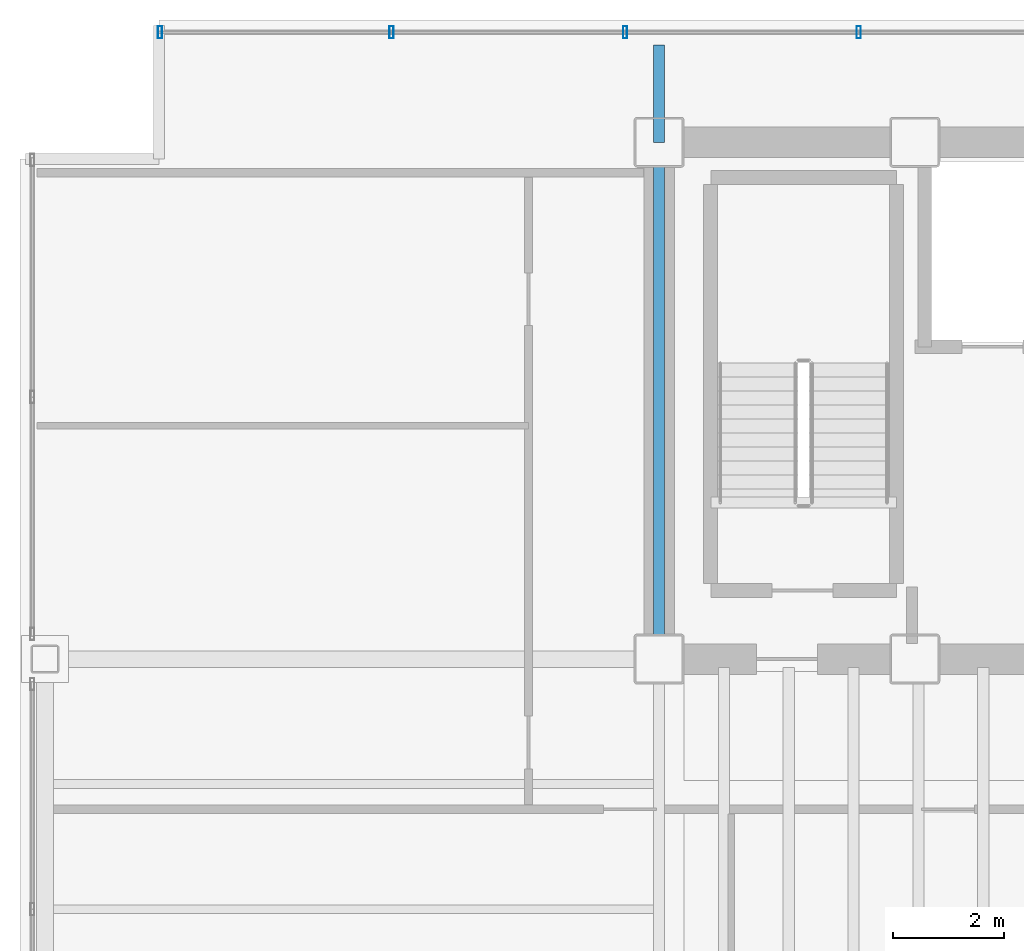
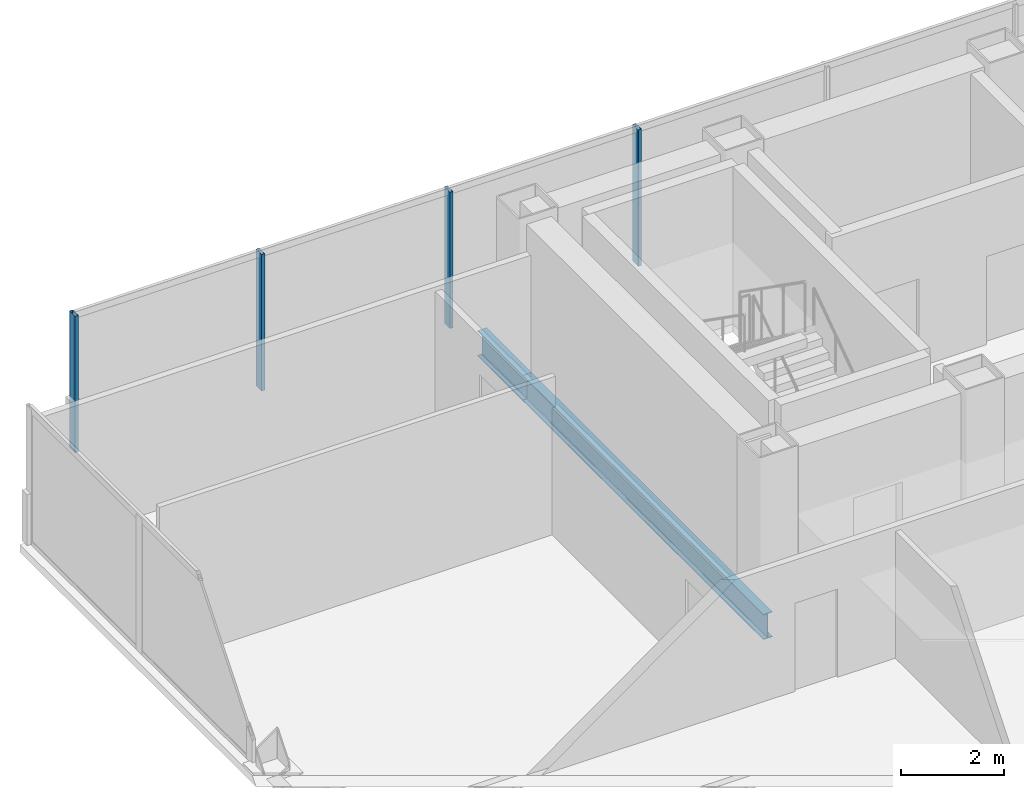
# One storey, part 8 of 20: 4 members, 2 beams, 1 element without a shape of its own.
"""IFC4 building model written with IfcOpenShell, lengths in metres."""

from ifc_helpers import new_model, si_unit, direction, frame, origin, origin_2d, place, context, subcontext, project, spatial, hollow_rectangle, i_section, extrude, material, material_profile, profile_set, type_object, element, aggregate, save


model = new_model("IFC4")

# Units and contexts
model_context = context("Model", 3, precision=1e-05, world=origin(), true_north=direction((0.0, 1.0)))
body_context = subcontext(model_context, "Body", "Model", "MODEL_VIEW")
ifc_project = project(units=[si_unit("LENGTHUNIT", "METRE"), si_unit("AREAUNIT", "SQUARE_METRE"), si_unit("VOLUMEUNIT", "CUBIC_METRE"), si_unit("PLANEANGLEUNIT", "RADIAN"), si_unit("MASSUNIT", "GRAM", prefix="KILO")], contexts=[model_context])

# Site, building, storey
site_placement = place(None, origin())
site = spatial("IfcSite", under=ifc_project, at=site_placement, CompositionType="ELEMENT")
building_placement = place(site_placement, origin())
building = spatial("IfcBuilding", under=site, at=building_placement, Name="Noeulbin Bourse Tower", CompositionType="ELEMENT")
storey_placement = place(building_placement, frame((0.0, 0.0, 126.60009765625)))
storey = spatial("IfcBuildingStorey", under=building, at=storey_placement, Name="L31", CompositionType="ELEMENT", Elevation=126.60009765625)

# Beams
ifc_material_1 = material(Name="Steel S355", Category="steel")
ifc_material_profile_1 = material_profile(ifc_material_1, i_section(OverallWidth=0.199951171875, OverallDepth=0.60009765625, WebThickness=0.010986328125, FlangeThickness=0.01708984375, FilletRadius=0.02197265625, at=origin_2d()), Name="H-600x200x11x17", Category="LoadBearing")
ifc_profile_set_1 = profile_set([ifc_material_profile_1], Name="Steel S355")
beam_type = type_object("IfcBeamType", Name="BM-GRD-600", PredefinedType="USERDEFINED", material=ifc_profile_set_1)
beam_1_placement = place(storey_placement, frame((13.5, 29.0, -0.47998046875), z_axis=(0.0, 1.0, 0.0), x_axis=(-1.0, 0.0, 0.0)))
element("IfcBeam", 1, at=beam_1_placement, inside=storey, type_object=beam_type, Name="Tower Primary Girder NS L31-1.3", ObjectType="GIRDER", PredefinedType="USERDEFINED", context=body_context, shape_type="SweptSolid", body=[
    extrude(i_section(OverallWidth=0.199951171875, OverallDepth=0.60009765625, WebThickness=0.010986328125, FlangeThickness=0.01708984375, FilletRadius=0.02197265625, at=origin_2d()), origin(), (0.0, 0.0, 1.0), 9.300048828125),
])
beam_2_placement = place(storey_placement, frame((13.5, 38.300048828125, -0.47998046875), z_axis=(0.0, 1.0, 0.0), x_axis=(-1.0, 0.0, 0.0)))
element("IfcBeam", 2, at=beam_2_placement, inside=storey, type_object=beam_type, Name="Tower Primary Girder NS L31-1.4", ObjectType="GIRDER", PredefinedType="USERDEFINED", context=body_context, shape_type="SweptSolid", body=[
    extrude(i_section(OverallWidth=0.199951171875, OverallDepth=0.60009765625, WebThickness=0.010986328125, FlangeThickness=0.01708984375, FilletRadius=0.02197265625, at=origin_2d()), origin(), (0.0, 0.0, 1.0), 1.75),
])

# Curtain wall, members
ifc_material_2 = material(Name="Dark Tinted Triple Glazing", Category="glass")
curtain_wall_type = type_object("IfcCurtainWallType", Name="CW-SYS-3", PredefinedType="NOTDEFINED", material=ifc_material_2)
curtain_wall_placement = place(storey_placement, origin())
curtain_wall = element("IfcCurtainWall", 3, at=curtain_wall_placement, inside=storey, type_object=curtain_wall_type, Name="Unitised Curtain Wall CW-L31-N", PredefinedType="NOTDEFINED")
ifc_material_3 = material(Name="Anodised Aluminium 6063-T6", Category="aluminium")
ifc_material_profile_2 = material_profile(ifc_material_3, hollow_rectangle(XDim=0.074951171875, YDim=0.219970703125, WallThickness=0.0048828125, InnerFilletRadius=0.00244140625, OuterFilletRadius=0.0048828125, at=origin_2d()), Name="ALU-MULL-75x220x5", Category="LoadBearing")
ifc_profile_set_2 = profile_set([ifc_material_profile_2], Name="Anodised Aluminium 6063-T6")
member_type = type_object("IfcMemberType", Name="CW-SYS-3-MUL", PredefinedType="MULLION", material=ifc_profile_set_2)
member_1_placement = place(storey_placement, frame((4.52001953125, 40.280029296875, -0.02001953125), z_axis=(0.0, 0.0, 1.0), x_axis=(1.0, 0.0, 0.0)))
member_1 = element("IfcMember", 4, at=member_1_placement, type_object=member_type, Name="Curtain Wall Mullion CW-L31-N-M00", PredefinedType="MULLION", context=body_context, shape_type="SweptSolid", body=[
    extrude(hollow_rectangle(XDim=0.074951171875, YDim=0.219970703125, WallThickness=0.0048828125, InnerFilletRadius=0.00244140625, OuterFilletRadius=0.0048828125, at=origin_2d()), origin(), (0.0, 0.0, 1.0), 3.219970703125),
])
member_2_placement = place(storey_placement, frame((8.68408203125, 40.280029296875, -0.02001953125), z_axis=(0.0, 0.0, 1.0), x_axis=(1.0, 0.0, 0.0)))
member_2 = element("IfcMember", 5, at=member_2_placement, type_object=member_type, Name="Curtain Wall Mullion CW-L31-N-M01", PredefinedType="MULLION", context=body_context, shape_type="SweptSolid", body=[
    extrude(hollow_rectangle(XDim=0.074951171875, YDim=0.219970703125, WallThickness=0.0048828125, InnerFilletRadius=0.00244140625, OuterFilletRadius=0.0048828125, at=origin_2d()), origin(), (0.0, 0.0, 1.0), 3.219970703125),
])
member_3_placement = place(storey_placement, frame((12.887939453125, 40.280029296875, -0.02001953125), z_axis=(0.0, 0.0, 1.0), x_axis=(1.0, 0.0, 0.0)))
member_3 = element("IfcMember", 6, at=member_3_placement, type_object=member_type, Name="Curtain Wall Mullion CW-L31-N-M02", PredefinedType="MULLION", context=body_context, shape_type="SweptSolid", body=[
    extrude(hollow_rectangle(XDim=0.074951171875, YDim=0.219970703125, WallThickness=0.0048828125, InnerFilletRadius=0.00244140625, OuterFilletRadius=0.0048828125, at=origin_2d()), origin(), (0.0, 0.0, 1.0), 3.219970703125),
])
member_4_placement = place(storey_placement, frame((17.092041015625, 40.280029296875, -0.02001953125), z_axis=(0.0, 0.0, 1.0), x_axis=(1.0, 0.0, 0.0)))
member_4 = element("IfcMember", 7, at=member_4_placement, type_object=member_type, Name="Curtain Wall Mullion CW-L31-N-M03", PredefinedType="MULLION", context=body_context, shape_type="SweptSolid", body=[
    extrude(hollow_rectangle(XDim=0.074951171875, YDim=0.219970703125, WallThickness=0.0048828125, InnerFilletRadius=0.00244140625, OuterFilletRadius=0.0048828125, at=origin_2d()), origin(), (0.0, 0.0, 1.0), 3.219970703125),
])
aggregate(curtain_wall, [member_1, member_2, member_3, member_4])

save(model, "model.ifc")
